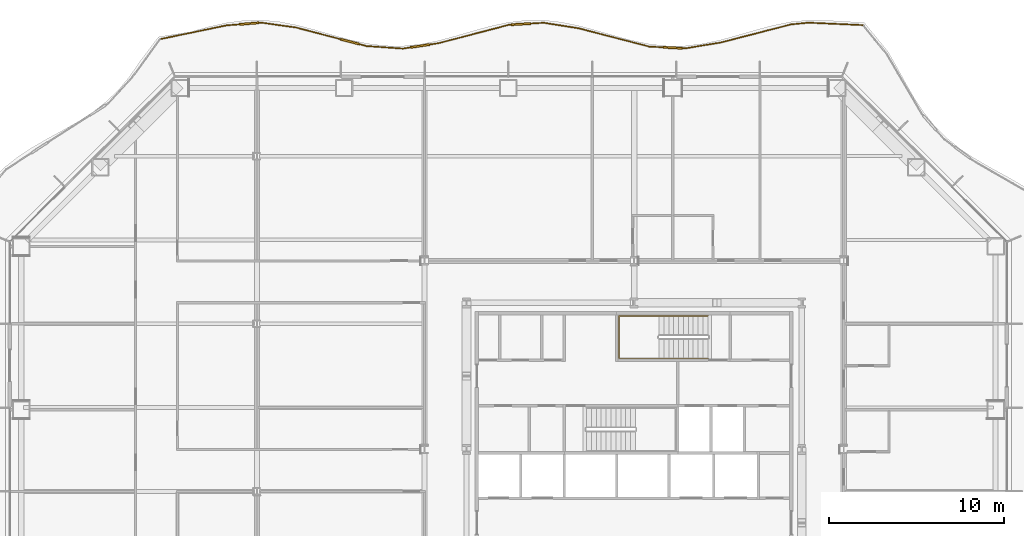
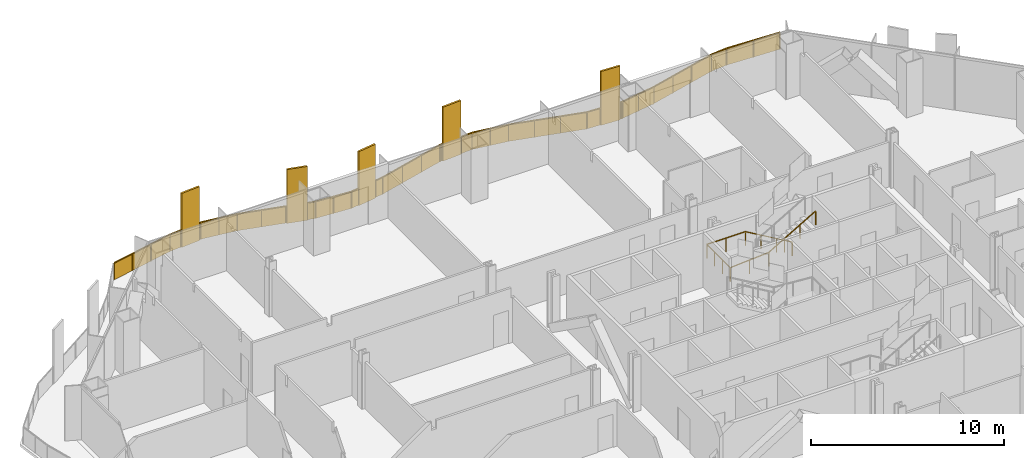
# One storey, part 19 of 20: 2 railings.
"""IFC4 building model written with IfcOpenShell, lengths in metres."""

from ifc_helpers import new_model, si_unit, direction, frame, origin, origin_2d, place, context, subcontext, project, spatial, polyline, rectangle, outline, extrude, material, type_object, element, save


model = new_model("IFC4")

# Units and contexts
model_context = context("Model", 3, precision=1e-05, world=origin(), true_north=direction((0.0, 1.0)))
body_context = subcontext(model_context, "Body", "Model", "MODEL_VIEW")
ifc_project = project(units=[si_unit("LENGTHUNIT", "METRE"), si_unit("AREAUNIT", "SQUARE_METRE"), si_unit("VOLUMEUNIT", "CUBIC_METRE"), si_unit("PLANEANGLEUNIT", "RADIAN"), si_unit("MASSUNIT", "GRAM", prefix="KILO")], contexts=[model_context])

# Site, building, storey
site_placement = place(None, origin())
site = spatial("IfcSite", under=ifc_project, at=site_placement, CompositionType="ELEMENT")
building_placement = place(site_placement, origin())
building = spatial("IfcBuilding", under=site, at=building_placement, Name="Cairn Pilgrim Tower", CompositionType="ELEMENT")
storey_placement = place(building_placement, frame((0.0, 0.0, 51.0)))
storey = spatial("IfcBuildingStorey", under=building, at=storey_placement, Name="L10", CompositionType="ELEMENT", Elevation=51.0)

# Railings
ifc_material_1 = material(Name="Bronze anodised aluminium rail, posts and fin screens with laminated glass infill", Category="aluminium")
railing_type_1 = type_object("IfcRailingType", Name="BALCONY GUARD WITH FIN SCREENS", PredefinedType="GUARDRAIL", material=ifc_material_1)
railing_1_placement = place(storey_placement, frame((20.306396484375, 26.70166015625, 0.0)))
element("IfcRailing", 1, at=railing_1_placement, inside=storey, type_object=railing_type_1, Name="Balcony guard BGF-5 with fin screens", PredefinedType="GUARDRAIL", context=body_context, shape_type="SweptSolid", body=[
    extrude(rectangle(XDim=0.050048828125, YDim=0.050048828125, at=origin_2d()), frame((0.0, 0.0, 1.0751953125), z_axis=(-0.998998429321, 0.044745259126, 0.0), x_axis=(-0.044745259126, -0.998998429321, 0.0)), (0.0, 0.0, 1.0), 3.12646484375),
    extrude(rectangle(XDim=0.050048828125, YDim=0.050048828125, at=origin_2d()), frame((-3.123291015625, 0.139892578125, 1.0751953125), z_axis=(-0.99513163978, -0.098554652396, 0.0), x_axis=(0.098554652396, -0.99513163978, 0.0)), (0.0, 0.0, 1.0), 0.993408203125),
    extrude(rectangle(XDim=0.050048828125, YDim=0.050048828125, at=origin_2d()), frame((-4.11181640625, 0.0419921875, 1.0751953125), z_axis=(-0.968441659028, -0.249240351988, 0.0), x_axis=(0.249240351988, -0.968441659028, 0.0)), (0.0, 0.0, 1.0), 4.1689453125),
    extrude(rectangle(XDim=0.050048828125, YDim=0.050048828125, at=origin_2d()), frame((-8.149169921875, -0.9970703125, 1.0751953125), z_axis=(-0.986622344068, -0.163022545023, 0.0), x_axis=(0.163022545023, -0.986622344068, 0.0)), (0.0, 0.0, 1.0), 2.071044921875),
    extrude(rectangle(XDim=1.10009765625, YDim=0.110107421875, at=origin_2d()), frame((-10.891845703125, -1.298828125, 0.0), z_axis=(0.0, 0.0, 1.0), x_axis=(-0.998682361191, 0.051318042112, 0.0)), (0.0, 0.0, 1.0), 3.39990234375),
    extrude(rectangle(XDim=0.050048828125, YDim=0.050048828125, at=origin_2d()), frame((-10.192626953125, -1.334716796875, 1.0751953125), z_axis=(-0.998682361191, 0.051318042112, 0.0), x_axis=(-0.051318042112, -0.998682361191, 0.0)), (0.0, 0.0, 1.0), 0.150146484375),
    extrude(rectangle(XDim=0.050048828125, YDim=0.050048828125, at=origin_2d()), frame((-11.44091796875, -1.2705078125, 1.0751953125), z_axis=(-0.998682361191, 0.051318042112, 0.0), x_axis=(-0.051318042112, -0.998682361191, 0.0)), (0.0, 0.0, 1.0), 0.80517578125),
    extrude(rectangle(XDim=0.050048828125, YDim=0.050048828125, at=origin_2d()), frame((-12.2451171875, -1.229248046875, 1.0751953125), z_axis=(-0.968005298452, 0.250929755446, 0.0), x_axis=(-0.250929755446, -0.968005298452, 0.0)), (0.0, 0.0, 1.0), 4.18359375),
    extrude(rectangle(XDim=0.050048828125, YDim=0.050048828125, at=origin_2d()), frame((-16.294921875, -0.179443359375, 1.0751953125), z_axis=(-0.987835298429, 0.155503772229, 0.0), x_axis=(-0.155503772229, -0.987835298429, 0.0)), (0.0, 0.0, 1.0), 2.022216796875),
    extrude(rectangle(XDim=1.10009765625, YDim=0.110107421875, at=origin_2d()), frame((-19.583984375, 0.056640625, 0.0), z_axis=(0.0, 0.0, 1.0), x_axis=(-0.998168944709, -0.060487666669, 0.0)), (0.0, 0.0, 1.0), 3.39990234375),
    extrude(rectangle(XDim=0.050048828125, YDim=0.050048828125, at=origin_2d()), frame((-18.29248046875, 0.135009765625, 1.0751953125), z_axis=(-0.998168944709, -0.060487666669, 0.0), x_axis=(0.060487666669, -0.998168944709, 0.0)), (0.0, 0.0, 1.0), 0.743896484375),
    extrude(rectangle(XDim=0.050048828125, YDim=0.050048828125, at=origin_2d()), frame((-20.133056640625, 0.0234375, 1.0751953125), z_axis=(-0.998168944709, -0.060487666669, 0.0), x_axis=(0.060487666669, -0.998168944709, 0.0)), (0.0, 0.0, 1.0), 0.14990234375),
    extrude(rectangle(XDim=0.050048828125, YDim=0.050048828125, at=origin_2d()), frame((-20.28271484375, 0.014404296875, 1.0751953125), z_axis=(-0.967605460468, -0.252467171869, 0.0), x_axis=(0.252467171869, -0.967605460468, 0.0)), (0.0, 0.0, 1.0), 4.170654296875),
    extrude(rectangle(XDim=1.10009765625, YDim=0.110107421875, at=origin_2d()), frame((-25.36865234375, -1.1953125, 0.0), z_axis=(0.0, 0.0, 1.0), x_axis=(-0.989032271674, -0.147699578831, 0.0)), (0.0, 0.0, 1.0), 3.39990234375),
    extrude(rectangle(XDim=0.050048828125, YDim=0.050048828125, at=origin_2d()), frame((-24.318359375, -1.03857421875, 1.0751953125), z_axis=(-0.989032271674, -0.147699578831, 0.0), x_axis=(0.147699578831, -0.989032271674, 0.0)), (0.0, 0.0, 1.0), 0.511962890625),
    extrude(rectangle(XDim=0.050048828125, YDim=0.050048828125, at=origin_2d()), frame((-25.91259765625, -1.276611328125, 1.0751953125), z_axis=(-0.989032271674, -0.147699578831, 0.0), x_axis=(0.147699578831, -0.989032271674, 0.0)), (0.0, 0.0, 1.0), 0.455810546875),
    extrude(rectangle(XDim=0.050048828125, YDim=0.050048828125, at=origin_2d()), frame((-26.363525390625, -1.343994140625, 1.0751953125), z_axis=(-0.997568963099, 0.069686181285, 0.0), x_axis=(-0.069686181285, -0.997568963099, 0.0)), (0.0, 0.0, 1.0), 2.056396484375),
    extrude(rectangle(XDim=1.10009765625, YDim=0.110107421875, at=origin_2d()), frame((-29.380859375, -0.947509765625, 0.0), z_axis=(0.0, 0.0, 1.0), x_axis=(-0.967298635866, 0.25364019605, 0.0)), (0.0, 0.0, 1.0), 3.39990234375),
    extrude(rectangle(XDim=0.050048828125, YDim=0.050048828125, at=origin_2d()), frame((-28.4150390625, -1.20068359375, 1.0751953125), z_axis=(-0.967298635866, 0.25364019605, 0.0), x_axis=(-0.25364019605, -0.967298635866, 0.0)), (0.0, 0.0, 1.0), 0.448486328125),
    extrude(rectangle(XDim=0.050048828125, YDim=0.050048828125, at=origin_2d()), frame((-29.912841796875, -0.807861328125, 1.0751953125), z_axis=(-0.967298635866, 0.25364019605, 0.0), x_axis=(-0.25364019605, -0.967298635866, 0.0)), (0.0, 0.0, 1.0), 2.6357421875),
    extrude(rectangle(XDim=0.050048828125, YDim=0.050048828125, at=origin_2d()), frame((-32.46240234375, -0.139404296875, 1.0751953125), z_axis=(-0.990185472396, 0.139759544416, 0.0), x_axis=(-0.139759544416, -0.990185472396, 0.0)), (0.0, 0.0, 1.0), 2.015869140625),
    extrude(rectangle(XDim=1.10009765625, YDim=0.110107421875, at=origin_2d()), frame((-35.15625, 0.087158203125, 0.0), z_axis=(0.0, 0.0, 1.0), x_axis=(-0.996890083621, -0.078804575871, 0.0)), (0.0, 0.0, 1.0), 3.39990234375),
    extrude(rectangle(XDim=0.050048828125, YDim=0.050048828125, at=origin_2d()), frame((-34.45849609375, 0.142333984375, 1.0751953125), z_axis=(-0.996890083621, -0.078804575871, 0.0), x_axis=(0.078804575871, -0.996890083621, 0.0)), (0.0, 0.0, 1.0), 0.14990234375),
    extrude(rectangle(XDim=0.050048828125, YDim=0.050048828125, at=origin_2d()), frame((-35.704345703125, 0.0439453125, 1.0751953125), z_axis=(-0.996890083621, -0.078804575871, 0.0), x_axis=(0.078804575871, -0.996890083621, 0.0)), (0.0, 0.0, 1.0), 0.75146484375),
    extrude(rectangle(XDim=0.050048828125, YDim=0.050048828125, at=origin_2d()), frame((-36.45361328125, -0.015380859375, 1.0751953125), z_axis=(-0.979139822764, -0.203187616448, 0.0), x_axis=(0.203187616448, -0.979139822764, 0.0)), (0.0, 0.0, 1.0), 3.828125),
    extrude(rectangle(XDim=0.050048828125, YDim=0.050048828125, at=origin_2d()), origin(), (0.0, 0.0, 1.0), 1.050048828125),
    extrude(rectangle(XDim=0.050048828125, YDim=0.050048828125, at=origin_2d()), frame((-1.5615234375, 0.06982421875, 0.0)), (0.0, 0.0, 1.0), 1.050048828125),
    extrude(rectangle(XDim=0.050048828125, YDim=0.050048828125, at=origin_2d()), frame((-3.123291015625, 0.139892578125, 0.0)), (0.0, 0.0, 1.0), 1.050048828125),
    extrude(rectangle(XDim=0.050048828125, YDim=0.050048828125, at=origin_2d()), frame((-4.11181640625, 0.0419921875, 0.0)), (0.0, 0.0, 1.0), 1.050048828125),
    extrude(rectangle(XDim=0.050048828125, YDim=0.050048828125, at=origin_2d()), frame((-5.45751953125, -0.304443359375, 0.0)), (0.0, 0.0, 1.0), 1.050048828125),
    extrude(rectangle(XDim=0.050048828125, YDim=0.050048828125, at=origin_2d()), frame((-6.803466796875, -0.650634765625, 0.0)), (0.0, 0.0, 1.0), 1.050048828125),
    extrude(rectangle(XDim=0.050048828125, YDim=0.050048828125, at=origin_2d()), frame((-8.149169921875, -0.9970703125, 0.0)), (0.0, 0.0, 1.0), 1.050048828125),
    extrude(rectangle(XDim=0.050048828125, YDim=0.050048828125, at=origin_2d()), frame((-9.1708984375, -1.166015625, 0.0)), (0.0, 0.0, 1.0), 1.050048828125),
    extrude(rectangle(XDim=0.050048828125, YDim=0.050048828125, at=origin_2d()), frame((-10.192626953125, -1.334716796875, 0.0)), (0.0, 0.0, 1.0), 1.050048828125),
    extrude(rectangle(XDim=0.050048828125, YDim=0.050048828125, at=origin_2d()), frame((-10.3173828125, -1.328369140625, 0.0)), (0.0, 0.0, 1.0), 1.050048828125),
    extrude(rectangle(XDim=0.050048828125, YDim=0.050048828125, at=origin_2d()), frame((-11.466064453125, -1.269287109375, 0.0)), (0.0, 0.0, 1.0), 1.050048828125),
    extrude(rectangle(XDim=0.050048828125, YDim=0.050048828125, at=origin_2d()), frame((-12.2451171875, -1.229248046875, 0.0)), (0.0, 0.0, 1.0), 1.050048828125),
    extrude(rectangle(XDim=0.050048828125, YDim=0.050048828125, at=origin_2d()), frame((-13.594970703125, -0.87939453125, 0.0)), (0.0, 0.0, 1.0), 1.050048828125),
    extrude(rectangle(XDim=0.050048828125, YDim=0.050048828125, at=origin_2d()), frame((-14.945068359375, -0.529296875, 0.0)), (0.0, 0.0, 1.0), 1.050048828125),
    extrude(rectangle(XDim=0.050048828125, YDim=0.050048828125, at=origin_2d()), frame((-16.294921875, -0.179443359375, 0.0)), (0.0, 0.0, 1.0), 1.050048828125),
    extrude(rectangle(XDim=0.050048828125, YDim=0.050048828125, at=origin_2d()), frame((-17.293701171875, -0.022216796875, 0.0)), (0.0, 0.0, 1.0), 1.050048828125),
    extrude(rectangle(XDim=0.050048828125, YDim=0.050048828125, at=origin_2d()), frame((-18.29248046875, 0.135009765625, 0.0)), (0.0, 0.0, 1.0), 1.050048828125),
    extrude(rectangle(XDim=0.050048828125, YDim=0.050048828125, at=origin_2d()), frame((-19.010009765625, 0.091552734375, 0.0)), (0.0, 0.0, 1.0), 1.050048828125),
    extrude(rectangle(XDim=0.050048828125, YDim=0.050048828125, at=origin_2d()), frame((-20.157958984375, 0.02197265625, 0.0)), (0.0, 0.0, 1.0), 1.050048828125),
    extrude(rectangle(XDim=0.050048828125, YDim=0.050048828125, at=origin_2d()), frame((-20.28271484375, 0.014404296875, 0.0)), (0.0, 0.0, 1.0), 1.050048828125),
    extrude(rectangle(XDim=0.050048828125, YDim=0.050048828125, at=origin_2d()), frame((-21.6279296875, -0.336669921875, 0.0)), (0.0, 0.0, 1.0), 1.050048828125),
    extrude(rectangle(XDim=0.050048828125, YDim=0.050048828125, at=origin_2d()), frame((-22.97314453125, -0.6875, 0.0)), (0.0, 0.0, 1.0), 1.050048828125),
    extrude(rectangle(XDim=0.050048828125, YDim=0.050048828125, at=origin_2d()), frame((-24.318359375, -1.03857421875, 0.0)), (0.0, 0.0, 1.0), 1.050048828125),
    extrude(rectangle(XDim=0.050048828125, YDim=0.050048828125, at=origin_2d()), frame((-24.800048828125, -1.110595703125, 0.0)), (0.0, 0.0, 1.0), 1.050048828125),
    extrude(rectangle(XDim=0.050048828125, YDim=0.050048828125, at=origin_2d()), frame((-25.9375, -1.2802734375, 0.0)), (0.0, 0.0, 1.0), 1.050048828125),
    extrude(rectangle(XDim=0.050048828125, YDim=0.050048828125, at=origin_2d()), frame((-26.363525390625, -1.343994140625, 0.0)), (0.0, 0.0, 1.0), 1.050048828125),
    extrude(rectangle(XDim=0.050048828125, YDim=0.050048828125, at=origin_2d()), frame((-27.38916015625, -1.2724609375, 0.0)), (0.0, 0.0, 1.0), 1.050048828125),
    extrude(rectangle(XDim=0.050048828125, YDim=0.050048828125, at=origin_2d()), frame((-28.4150390625, -1.20068359375, 0.0)), (0.0, 0.0, 1.0), 1.050048828125),
    extrude(rectangle(XDim=0.050048828125, YDim=0.050048828125, at=origin_2d()), frame((-28.82470703125, -1.09326171875, 0.0)), (0.0, 0.0, 1.0), 1.050048828125),
    extrude(rectangle(XDim=0.050048828125, YDim=0.050048828125, at=origin_2d()), frame((-29.93701171875, -0.801513671875, 0.0)), (0.0, 0.0, 1.0), 1.050048828125),
    extrude(rectangle(XDim=0.050048828125, YDim=0.050048828125, at=origin_2d()), frame((-31.19970703125, -0.470458984375, 0.0)), (0.0, 0.0, 1.0), 1.050048828125),
    extrude(rectangle(XDim=0.050048828125, YDim=0.050048828125, at=origin_2d()), frame((-32.46240234375, -0.139404296875, 0.0)), (0.0, 0.0, 1.0), 1.050048828125),
    extrude(rectangle(XDim=0.050048828125, YDim=0.050048828125, at=origin_2d()), frame((-33.46044921875, 0.00146484375, 0.0)), (0.0, 0.0, 1.0), 1.050048828125),
    extrude(rectangle(XDim=0.050048828125, YDim=0.050048828125, at=origin_2d()), frame((-34.45849609375, 0.142333984375, 0.0)), (0.0, 0.0, 1.0), 1.050048828125),
    extrude(rectangle(XDim=0.050048828125, YDim=0.050048828125, at=origin_2d()), frame((-34.5830078125, 0.132568359375, 0.0)), (0.0, 0.0, 1.0), 1.050048828125),
    extrude(rectangle(XDim=0.050048828125, YDim=0.050048828125, at=origin_2d()), frame((-35.7294921875, 0.041748046875, 0.0)), (0.0, 0.0, 1.0), 1.050048828125),
    extrude(rectangle(XDim=0.050048828125, YDim=0.050048828125, at=origin_2d()), frame((-36.45361328125, -0.015380859375, 0.0)), (0.0, 0.0, 1.0), 1.050048828125),
    extrude(rectangle(XDim=0.050048828125, YDim=0.050048828125, at=origin_2d()), frame((-37.703125, -0.274658203125, 0.0)), (0.0, 0.0, 1.0), 1.050048828125),
    extrude(rectangle(XDim=0.050048828125, YDim=0.050048828125, at=origin_2d()), frame((-38.952392578125, -0.533935546875, 0.0)), (0.0, 0.0, 1.0), 1.050048828125),
    extrude(rectangle(XDim=0.050048828125, YDim=0.050048828125, at=origin_2d()), frame((-40.201904296875, -0.793212890625, 0.0)), (0.0, 0.0, 1.0), 1.050048828125),
    extrude(outline(polyline([(0.02490234375, 0.0), (1.5380859375, 0.0), (1.5380859375, 1.050048828125), (0.02490234375, 1.050048828125), (0.02490234375, 0.0)])), frame((-0.000244140625, -0.005859375, 0.0), z_axis=(0.044745259126, 0.998998429321, 0.0), x_axis=(-0.998998429321, 0.044745259126, 0.0)), (0.0, 0.0, 1.0), 0.011962890625),
    extrude(outline(polyline([(0.02490234375, 0.0), (1.5380859375, 0.0), (1.5380859375, 1.050048828125), (0.02490234375, 1.050048828125), (0.02490234375, 0.0)])), frame((-1.56201171875, 0.06396484375, 0.0), z_axis=(0.044745259126, 0.998998429321, 0.0), x_axis=(-0.998998429321, 0.044745259126, 0.0)), (0.0, 0.0, 1.0), 0.011962890625),
    extrude(outline(polyline([(0.02490234375, 0.0), (0.96826171875, 0.0), (0.96826171875, 1.050048828125), (0.02490234375, 1.050048828125), (0.02490234375, 0.0)])), frame((-3.122802734375, 0.134033203125, 0.0), z_axis=(-0.098554652396, 0.99513163978, 0.0), x_axis=(-0.99513163978, -0.098554652396, 0.0)), (0.0, 0.0, 1.0), 0.011962890625),
    extrude(outline(polyline([(0.02490234375, 0.0), (1.364501953125, 0.0), (1.364501953125, 1.050048828125), (0.02490234375, 1.050048828125), (0.02490234375, 0.0)])), frame((-4.1103515625, 0.0361328125, 0.0), z_axis=(-0.249240351988, 0.968441659028, 0.0), x_axis=(-0.968441659028, -0.249240351988, 0.0)), (0.0, 0.0, 1.0), 0.011962890625),
    extrude(outline(polyline([(0.02490234375, 0.0), (1.364501953125, 0.0), (1.364501953125, 1.050048828125), (0.02490234375, 1.050048828125), (0.02490234375, 0.0)])), frame((-5.4560546875, -0.31005859375, 0.0), z_axis=(-0.249240351988, 0.968441659028, 0.0), x_axis=(-0.968441659028, -0.249240351988, 0.0)), (0.0, 0.0, 1.0), 0.011962890625),
    extrude(outline(polyline([(0.02490234375, 0.0), (1.364501953125, 0.0), (1.364501953125, 1.050048828125), (0.02490234375, 1.050048828125), (0.02490234375, 0.0)])), frame((-6.802001953125, -0.656494140625, 0.0), z_axis=(-0.249240351988, 0.968441659028, 0.0), x_axis=(-0.968441659028, -0.249240351988, 0.0)), (0.0, 0.0, 1.0), 0.011962890625),
    extrude(outline(polyline([(0.02490234375, 0.0), (1.010498046875, 0.0), (1.010498046875, 1.050048828125), (0.02490234375, 1.050048828125), (0.02490234375, 0.0)])), frame((-8.148193359375, -1.0029296875, 0.0), z_axis=(-0.163022545023, 0.986622344068, 0.0), x_axis=(-0.986622344068, -0.163022545023, 0.0)), (0.0, 0.0, 1.0), 0.011962890625),
    extrude(outline(polyline([(0.02490234375, 0.0), (1.010498046875, 0.0), (1.010498046875, 1.050048828125), (0.02490234375, 1.050048828125), (0.02490234375, 0.0)])), frame((-9.169921875, -1.171875, 0.0), z_axis=(-0.163022545023, 0.986622344068, 0.0), x_axis=(-0.986622344068, -0.163022545023, 0.0)), (0.0, 0.0, 1.0), 0.011962890625),
    extrude(outline(polyline([(0.02490234375, 0.0), (0.10009765625, 0.0), (0.10009765625, 1.050048828125), (0.02490234375, 1.050048828125), (0.02490234375, 0.0)])), frame((-10.19287109375, -1.340576171875, 0.0), z_axis=(0.051318042112, 0.998682361191, 0.0), x_axis=(-0.998682361191, 0.051318042112, 0.0)), (0.0, 0.0, 1.0), 0.011962890625),
    extrude(outline(polyline([(0.02490234375, 0.0), (0.755126953125, 0.0), (0.755126953125, 1.050048828125), (0.02490234375, 1.050048828125), (0.02490234375, 0.0)])), frame((-11.46630859375, -1.275146484375, 0.0), z_axis=(0.051318042112, 0.998682361191, 0.0), x_axis=(-0.998682361191, 0.051318042112, 0.0)), (0.0, 0.0, 1.0), 0.011962890625),
    extrude(outline(polyline([(0.02490234375, 0.0), (1.36962890625, 0.0), (1.36962890625, 1.050048828125), (0.02490234375, 1.050048828125), (0.02490234375, 0.0)])), frame((-12.24658203125, -1.235107421875, 0.0), z_axis=(0.250929755446, 0.968005298452, 0.0), x_axis=(-0.968005298452, 0.250929755446, 0.0)), (0.0, 0.0, 1.0), 0.011962890625),
    extrude(outline(polyline([(0.02490234375, 0.0), (1.36962890625, 0.0), (1.36962890625, 1.050048828125), (0.02490234375, 1.050048828125), (0.02490234375, 0.0)])), frame((-13.596435546875, -0.885009765625, 0.0), z_axis=(0.250929755446, 0.968005298452, 0.0), x_axis=(-0.968005298452, 0.250929755446, 0.0)), (0.0, 0.0, 1.0), 0.011962890625),
    extrude(outline(polyline([(0.02490234375, 0.0), (1.36962890625, 0.0), (1.36962890625, 1.050048828125), (0.02490234375, 1.050048828125), (0.02490234375, 0.0)])), frame((-14.946533203125, -0.53515625, 0.0), z_axis=(0.250929755446, 0.968005298452, 0.0), x_axis=(-0.968005298452, 0.250929755446, 0.0)), (0.0, 0.0, 1.0), 0.011962890625),
    extrude(outline(polyline([(0.02490234375, 0.0), (0.986083984375, 0.0), (0.986083984375, 1.050048828125), (0.02490234375, 1.050048828125), (0.02490234375, 0.0)])), frame((-16.2958984375, -0.185302734375, 0.0), z_axis=(0.155503772229, 0.987835298429, 0.0), x_axis=(-0.987835298429, 0.155503772229, 0.0)), (0.0, 0.0, 1.0), 0.011962890625),
    extrude(outline(polyline([(0.02490234375, 0.0), (0.986083984375, 0.0), (0.986083984375, 1.050048828125), (0.02490234375, 1.050048828125), (0.02490234375, 0.0)])), frame((-17.294677734375, -0.028076171875, 0.0), z_axis=(0.155503772229, 0.987835298429, 0.0), x_axis=(-0.987835298429, 0.155503772229, 0.0)), (0.0, 0.0, 1.0), 0.011962890625),
    extrude(outline(polyline([(0.02490234375, 0.0), (0.69384765625, 0.0), (0.69384765625, 1.050048828125), (0.02490234375, 1.050048828125), (0.02490234375, 0.0)])), frame((-18.292236328125, 0.129150390625, 0.0), z_axis=(-0.060487666669, 0.998168944709, 0.0), x_axis=(-0.998168944709, -0.060487666669, 0.0)), (0.0, 0.0, 1.0), 0.011962890625),
    extrude(outline(polyline([(0.02490234375, 0.0), (0.099853515625, 0.0), (0.099853515625, 1.050048828125), (0.02490234375, 1.050048828125), (0.02490234375, 0.0)])), frame((-20.15771484375, 0.01611328125, 0.0), z_axis=(-0.060487666669, 0.998168944709, 0.0), x_axis=(-0.998168944709, -0.060487666669, 0.0)), (0.0, 0.0, 1.0), 0.011962890625),
    extrude(outline(polyline([(0.02490234375, 0.0), (1.365234375, 0.0), (1.365234375, 1.050048828125), (0.02490234375, 1.050048828125), (0.02490234375, 0.0)])), frame((-20.28125, 0.008544921875, 0.0), z_axis=(-0.252467171869, 0.967605460468, 0.0), x_axis=(-0.967605460468, -0.252467171869, 0.0)), (0.0, 0.0, 1.0), 0.011962890625),
    extrude(outline(polyline([(0.02490234375, 0.0), (1.365234375, 0.0), (1.365234375, 1.050048828125), (0.02490234375, 1.050048828125), (0.02490234375, 0.0)])), frame((-21.62646484375, -0.34228515625, 0.0), z_axis=(-0.252467171869, 0.967605460468, 0.0), x_axis=(-0.967605460468, -0.252467171869, 0.0)), (0.0, 0.0, 1.0), 0.011962890625),
    extrude(outline(polyline([(0.02490234375, 0.0), (1.365234375, 0.0), (1.365234375, 1.050048828125), (0.02490234375, 1.050048828125), (0.02490234375, 0.0)])), frame((-22.9716796875, -0.693359375, 0.0), z_axis=(-0.252467171869, 0.967605460468, 0.0), x_axis=(-0.967605460468, -0.252467171869, 0.0)), (0.0, 0.0, 1.0), 0.011962890625),
    extrude(outline(polyline([(0.02490234375, 0.0), (0.4619140625, 0.0), (0.4619140625, 1.050048828125), (0.02490234375, 1.050048828125), (0.02490234375, 0.0)])), frame((-24.3173828125, -1.04443359375, 0.0), z_axis=(-0.147699578831, 0.989032271674, 0.0), x_axis=(-0.989032271674, -0.147699578831, 0.0)), (0.0, 0.0, 1.0), 0.011962890625),
    extrude(outline(polyline([(0.02490234375, 0.0), (0.40576171875, 0.0), (0.40576171875, 1.050048828125), (0.02490234375, 1.050048828125), (0.02490234375, 0.0)])), frame((-25.9365234375, -1.286376953125, 0.0), z_axis=(-0.147699578831, 0.989032271674, 0.0), x_axis=(-0.989032271674, -0.147699578831, 0.0)), (0.0, 0.0, 1.0), 0.011962890625),
    extrude(outline(polyline([(0.02490234375, 0.0), (1.003173828125, 0.0), (1.003173828125, 1.050048828125), (0.02490234375, 1.050048828125), (0.02490234375, 0.0)])), frame((-26.364013671875, -1.349853515625, 0.0), z_axis=(0.069686181285, 0.997568963099, 0.0), x_axis=(-0.997568963099, 0.069686181285, 0.0)), (0.0, 0.0, 1.0), 0.011962890625),
    extrude(outline(polyline([(0.02490234375, 0.0), (1.003173828125, 0.0), (1.003173828125, 1.050048828125), (0.02490234375, 1.050048828125), (0.02490234375, 0.0)])), frame((-27.3896484375, -1.2783203125, 0.0), z_axis=(0.069686181285, 0.997568963099, 0.0), x_axis=(-0.997568963099, 0.069686181285, 0.0)), (0.0, 0.0, 1.0), 0.011962890625),
    extrude(outline(polyline([(0.02490234375, 0.0), (0.3984375, 0.0), (0.3984375, 1.050048828125), (0.02490234375, 1.050048828125), (0.02490234375, 0.0)])), frame((-28.41650390625, -1.20654296875, 0.0), z_axis=(0.25364019605, 0.967298635866, 0.0), x_axis=(-0.967298635866, 0.25364019605, 0.0)), (0.0, 0.0, 1.0), 0.011962890625),
    extrude(outline(polyline([(0.02490234375, 0.0), (1.2802734375, 0.0), (1.2802734375, 1.050048828125), (0.02490234375, 1.050048828125), (0.02490234375, 0.0)])), frame((-29.938720703125, -0.807373046875, 0.0), z_axis=(0.25364019605, 0.967298635866, 0.0), x_axis=(-0.967298635866, 0.25364019605, 0.0)), (0.0, 0.0, 1.0), 0.011962890625),
    extrude(outline(polyline([(0.02490234375, 0.0), (1.2802734375, 0.0), (1.2802734375, 1.050048828125), (0.02490234375, 1.050048828125), (0.02490234375, 0.0)])), frame((-31.201171875, -0.476318359375, 0.0), z_axis=(0.25364019605, 0.967298635866, 0.0), x_axis=(-0.967298635866, 0.25364019605, 0.0)), (0.0, 0.0, 1.0), 0.011962890625),
    extrude(outline(polyline([(0.02490234375, 0.0), (0.98291015625, 0.0), (0.98291015625, 1.050048828125), (0.02490234375, 1.050048828125), (0.02490234375, 0.0)])), frame((-32.463134765625, -0.145263671875, 0.0), z_axis=(0.139759544416, 0.990185472396, 0.0), x_axis=(-0.990185472396, 0.139759544416, 0.0)), (0.0, 0.0, 1.0), 0.011962890625),
    extrude(outline(polyline([(0.02490234375, 0.0), (0.98291015625, 0.0), (0.98291015625, 1.050048828125), (0.02490234375, 1.050048828125), (0.02490234375, 0.0)])), frame((-33.461181640625, -0.00439453125, 0.0), z_axis=(0.139759544416, 0.990185472396, 0.0), x_axis=(-0.990185472396, 0.139759544416, 0.0)), (0.0, 0.0, 1.0), 0.011962890625),
    extrude(outline(polyline([(0.02490234375, 0.0), (0.099853515625, 0.0), (0.099853515625, 1.050048828125), (0.02490234375, 1.050048828125), (0.02490234375, 0.0)])), frame((-34.4580078125, 0.136474609375, 0.0), z_axis=(-0.078804575871, 0.996890083621, 0.0), x_axis=(-0.996890083621, -0.078804575871, 0.0)), (0.0, 0.0, 1.0), 0.011962890625),
    extrude(outline(polyline([(0.02490234375, 0.0), (0.701416015625, 0.0), (0.701416015625, 1.050048828125), (0.02490234375, 1.050048828125), (0.02490234375, 0.0)])), frame((-35.72900390625, 0.035888671875, 0.0), z_axis=(-0.078804575871, 0.996890083621, 0.0), x_axis=(-0.996890083621, -0.078804575871, 0.0)), (0.0, 0.0, 1.0), 0.011962890625),
    extrude(outline(polyline([(0.02490234375, 0.0), (1.2509765625, 0.0), (1.2509765625, 1.050048828125), (0.02490234375, 1.050048828125), (0.02490234375, 0.0)])), frame((-36.452392578125, -0.021240234375, 0.0), z_axis=(-0.203187616448, 0.979139822764, 0.0), x_axis=(-0.979139822764, -0.203187616448, 0.0)), (0.0, 0.0, 1.0), 0.011962890625),
    extrude(outline(polyline([(0.02490234375, 0.0), (1.2509765625, 0.0), (1.2509765625, 1.050048828125), (0.02490234375, 1.050048828125), (0.02490234375, 0.0)])), frame((-37.701904296875, -0.280517578125, 0.0), z_axis=(-0.203187616448, 0.979139822764, 0.0), x_axis=(-0.979139822764, -0.203187616448, 0.0)), (0.0, 0.0, 1.0), 0.011962890625),
    extrude(outline(polyline([(0.02490234375, 0.0), (1.2509765625, 0.0), (1.2509765625, 1.050048828125), (0.02490234375, 1.050048828125), (0.02490234375, 0.0)])), frame((-38.951171875, -0.539794921875, 0.0), z_axis=(-0.203187616448, 0.979139822764, 0.0), x_axis=(-0.979139822764, -0.203187616448, 0.0)), (0.0, 0.0, 1.0), 0.011962890625),
])
ifc_material_2 = material(Name="Painted steel", Category="steel")
railing_type_2 = type_object("IfcRailingType", Name="STAIR HANDRAIL 900", PredefinedType="HANDRAIL", material=ifc_material_2)
railing_2_placement = place(storey_placement, frame((11.425048828125, 10.050048828125, 0.16357421875)))
element("IfcRailing", 2, at=railing_2_placement, inside=storey, type_object=railing_type_2, Name="L10 ST-C stair handrail 1", PredefinedType="HANDRAIL", context=body_context, shape_type="SweptSolid", body=[
    extrude(rectangle(XDim=0.048095703125, YDim=0.048095703125, at=origin_2d()), frame((0.0, 0.0, 0.8759765625), z_axis=(-0.863360870873, 0.0, 0.504586966384), x_axis=(0.0, -1.0, 0.0)), (0.0, 0.0, 1.0), 3.2431640625),
    extrude(rectangle(XDim=0.048095703125, YDim=0.048095703125, at=origin_2d()), frame((-2.800048828125, 0.0, 2.51220703125), z_axis=(-1.0, 0.0, 0.0), x_axis=(0.0, -1.0, 0.0)), (0.0, 0.0, 1.0), 2.300048828125),
    extrude(rectangle(XDim=0.048095703125, YDim=0.048095703125, at=origin_2d()), frame((-5.10009765625, 0.0, 2.51220703125), z_axis=(0.0, -1.0, 0.0), x_axis=(1.0, 0.0, 0.0)), (0.0, 0.0, 1.0), 2.425048828125),
    extrude(rectangle(XDim=0.048095703125, YDim=0.048095703125, at=origin_2d()), frame((-5.10009765625, -2.425048828125, 2.51220703125), z_axis=(0.997480687736, 0.0, 0.070938548008), x_axis=(0.0, 1.0, 0.0)), (0.0, 0.0, 1.0), 2.305908203125),
    extrude(rectangle(XDim=0.048095703125, YDim=0.048095703125, at=origin_2d()), frame((-2.800048828125, -2.425048828125, 2.67578125), z_axis=(0.863360870873, 0.0, 0.504586966384), x_axis=(0.0, 1.0, 0.0)), (0.0, 0.0, 1.0), 3.2431640625),
    extrude(rectangle(XDim=0.0419921875, YDim=0.0419921875, at=origin_2d()), origin(), (0.0, 0.0, 1.0), 0.851806640625),
    extrude(rectangle(XDim=0.0419921875, YDim=0.0419921875, at=origin_2d()), frame((-0.933349609375, 0.0, 0.54541015625)), (0.0, 0.0, 1.0), 0.851806640625),
    extrude(rectangle(XDim=0.0419921875, YDim=0.0419921875, at=origin_2d()), frame((-1.86669921875, 0.0, 1.091064453125)), (0.0, 0.0, 1.0), 0.851806640625),
    extrude(rectangle(XDim=0.0419921875, YDim=0.0419921875, at=origin_2d()), frame((-2.800048828125, 0.0, 1.636474609375)), (0.0, 0.0, 1.0), 0.851806640625),
    extrude(rectangle(XDim=0.0419921875, YDim=0.0419921875, at=origin_2d()), frame((-3.9501953125, 0.0, 1.636474609375)), (0.0, 0.0, 1.0), 0.851806640625),
    extrude(rectangle(XDim=0.0419921875, YDim=0.0419921875, at=origin_2d()), frame((-5.10009765625, 0.0, 1.636474609375)), (0.0, 0.0, 1.0), 0.851806640625),
    extrude(rectangle(XDim=0.0419921875, YDim=0.0419921875, at=origin_2d()), frame((-5.10009765625, -0.808349609375, 1.636474609375)), (0.0, 0.0, 1.0), 0.851806640625),
    extrude(rectangle(XDim=0.0419921875, YDim=0.0419921875, at=origin_2d()), frame((-5.10009765625, -1.61669921875, 1.636474609375)), (0.0, 0.0, 1.0), 0.851806640625),
    extrude(rectangle(XDim=0.0419921875, YDim=0.0419921875, at=origin_2d()), frame((-5.10009765625, -2.425048828125, 1.636474609375)), (0.0, 0.0, 1.0), 0.851806640625),
    extrude(rectangle(XDim=0.0419921875, YDim=0.0419921875, at=origin_2d()), frame((-3.9501953125, -2.425048828125, 1.71826171875)), (0.0, 0.0, 1.0), 0.851806640625),
    extrude(rectangle(XDim=0.0419921875, YDim=0.0419921875, at=origin_2d()), frame((-2.800048828125, -2.425048828125, 1.800048828125)), (0.0, 0.0, 1.0), 0.851806640625),
    extrude(rectangle(XDim=0.0419921875, YDim=0.0419921875, at=origin_2d()), frame((-1.86669921875, -2.425048828125, 2.345458984375)), (0.0, 0.0, 1.0), 0.851806640625),
    extrude(rectangle(XDim=0.0419921875, YDim=0.0419921875, at=origin_2d()), frame((-0.933349609375, -2.425048828125, 2.89111328125)), (0.0, 0.0, 1.0), 0.851806640625),
    extrude(rectangle(XDim=0.0419921875, YDim=0.0419921875, at=origin_2d()), frame((0.0, -2.425048828125, 3.4365234375)), (0.0, 0.0, 1.0), 0.851806640625),
])

save(model, "model.ifc")
